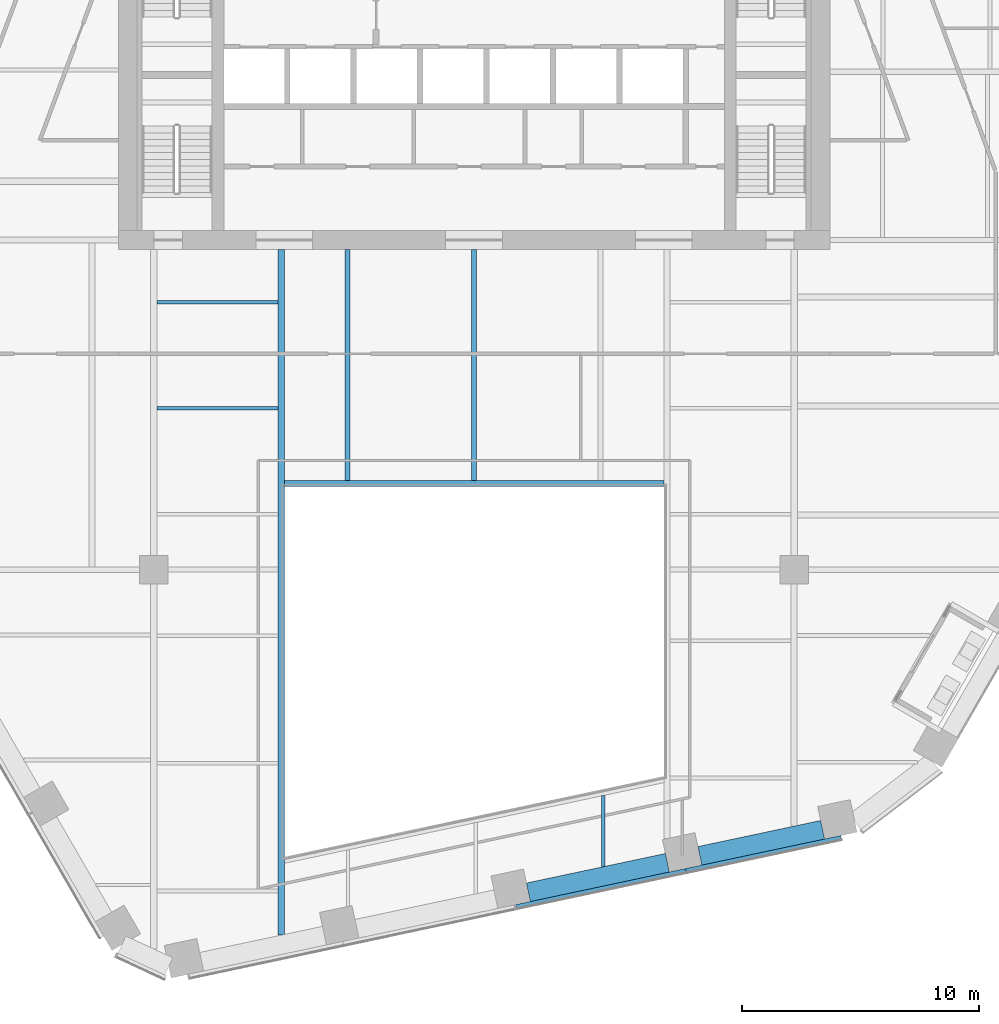
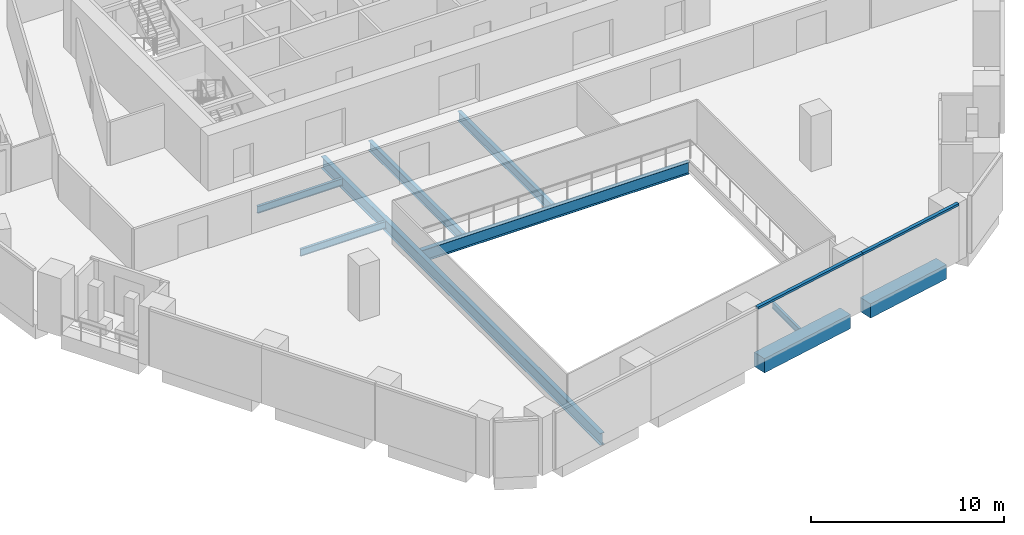
# One storey, part 4 of 24: 9 beams, 2 members, 1 element without a shape of its own.
"""IFC4 building model written with IfcOpenShell, lengths in metres."""

from ifc_helpers import new_model, si_unit, direction, frame, origin, origin_2d, place, context, subcontext, project, spatial, rectangle, i_section, extrude, material, layer, layer_set, material_profile, profile_set, type_object, element, aggregate, save


model = new_model("IFC4")

# Units and contexts
model_context = context("Model", 3, precision=1e-05, world=origin(), true_north=direction((0.0, 1.0)))
body_context = subcontext(model_context, "Body", "Model", "MODEL_VIEW")
ifc_project = project(units=[si_unit("LENGTHUNIT", "METRE"), si_unit("AREAUNIT", "SQUARE_METRE"), si_unit("VOLUMEUNIT", "CUBIC_METRE"), si_unit("PLANEANGLEUNIT", "RADIAN"), si_unit("MASSUNIT", "GRAM", prefix="KILO")], contexts=[model_context])

# Site, building, storey
site_placement = place(None, origin())
site = spatial("IfcSite", under=ifc_project, at=site_placement, CompositionType="ELEMENT")
building_placement = place(site_placement, origin())
building = spatial("IfcBuilding", under=site, at=building_placement, Name="Isthmus Gate Tower", CompositionType="ELEMENT")
storey_placement = place(building_placement, frame((0.0, 0.0, 159.0)))
storey = spatial("IfcBuildingStorey", under=building, at=storey_placement, Name="L39", CompositionType="ELEMENT", Elevation=159.0)

# Curtain wall, members
ifc_material_1 = material(Name="Aluminium, pale champagne anodised", Category="aluminium")
ifc_layer = layer(ifc_material_1, 0.199951171875)
ifc_layer_set = layer_set([ifc_layer], Name="CW-1 UNITISED CURTAIN WALL 200 DEEP")
curtain_wall_type = type_object("IfcCurtainWallType", Name="CW-1 UNITISED CURTAIN WALL 200 DEEP", PredefinedType="NOTDEFINED", material=ifc_layer_set)
curtain_wall_placement = place(storey_placement, origin())
curtain_wall = element("IfcCurtainWall", 1, at=curtain_wall_placement, inside=storey, type_object=curtain_wall_type, Name="CW-1 S L39", PredefinedType="NOTDEFINED")
ifc_material_2 = material(Name="Aluminium, pale champagne anodised", Category="aluminium")
ifc_material_profile_1 = material_profile(ifc_material_2, rectangle(XDim=0.199951171875, YDim=0.139892578125, at=origin_2d()), Name="200x140")
ifc_profile_set_1 = profile_set([ifc_material_profile_1], Name="Aluminium, pale champagne anodised")
member_type = type_object("IfcMemberType", Name="CW-1 TRANSOM 200 X 140", PredefinedType="USERDEFINED", material=ifc_profile_set_1)
member_1_placement = place(storey_placement, frame((1.76953125, -27.72607421875, 3.580078125), z_axis=(0.978146152746, 0.207918502948, 0.0), x_axis=(-0.207918502948, 0.978146152746, 0.0)))
member_1 = element("IfcMember", 2, at=member_1_placement, type_object=member_type, Name="CW-1 transom", ObjectType="TRANSOM", PredefinedType="USERDEFINED", context=body_context, shape_type="SweptSolid", body=[
    extrude(rectangle(XDim=0.199951171875, YDim=0.139892578125, at=origin_2d()), origin(), (0.0, 0.0, 1.0), 7.33056640625),
])
member_2_placement = place(storey_placement, frame((8.93994140625, -26.201904296875, 3.580078125), z_axis=(0.978147628551, 0.207911559946, 0.0), x_axis=(-0.207911559946, 0.978147628551, 0.0)))
member_2 = element("IfcMember", 3, at=member_2_placement, type_object=member_type, Name="CW-1 transom", ObjectType="TRANSOM", PredefinedType="USERDEFINED", context=body_context, shape_type="SweptSolid", body=[
    extrude(rectangle(XDim=0.199951171875, YDim=0.139892578125, at=origin_2d()), origin(), (0.0, 0.0, 1.0), 6.69091796875),
])
aggregate(curtain_wall, [member_1, member_2])

# Beams
ifc_material_3 = material(Name="Concrete f'c 60 MPa", Category="concrete")
ifc_material_profile_2 = material_profile(ifc_material_3, rectangle(XDim=0.800048828125, YDim=0.89990234375, at=origin_2d()), Name="RC 800X900")
ifc_profile_set_2 = profile_set([ifc_material_profile_2], Name="Concrete f'c 60 MPa")
beam_type_1 = type_object("IfcBeamType", Name="RC SPANDREL 800 X 900", PredefinedType="SPANDREL", material=ifc_profile_set_2)
beam_1_placement = place(storey_placement, frame((14.696044921875, -24.46728515625, -0.449951171875), z_axis=(-0.978145479826, -0.207921668653, 0.0), x_axis=(0.207921668653, -0.978145479826, 0.0)))
element("IfcBeam", 4, at=beam_1_placement, inside=storey, type_object=beam_type_1, Name="str-spandrel-L39-11", PredefinedType="SPANDREL", context=body_context, shape_type="SweptSolid", body=[
    extrude(rectangle(XDim=0.800048828125, YDim=0.89990234375, at=origin_2d()), origin(), (0.0, 0.0, 1.0), 5.291015625),
])
beam_2_placement = place(storey_placement, frame((8.1513671875, -25.8583984375, -0.449951171875), z_axis=(-0.978145798872, -0.20792016773, 0.0), x_axis=(0.20792016773, -0.978145798872, 0.0)))
element("IfcBeam", 5, at=beam_2_placement, inside=storey, type_object=beam_type_1, Name="str-spandrel-L39-12", PredefinedType="SPANDREL", context=body_context, shape_type="SweptSolid", body=[
    extrude(rectangle(XDim=0.800048828125, YDim=0.89990234375, at=origin_2d()), origin(), (0.0, 0.0, 1.0), 5.99072265625),
])
ifc_material_4 = material(Name="Structural steel ASTM A992 Gr 50", Category="steel")
ifc_material_profile_3 = material_profile(ifc_material_4, i_section(OverallWidth=0.1396484375, OverallDepth=0.4033203125, WebThickness=0.00634765625, FlangeThickness=0.010986328125, at=origin_2d()), Name="W16X31")
ifc_profile_set_3 = profile_set([ifc_material_profile_3], Name="Structural steel ASTM A992 Gr 50")
beam_type_2 = type_object("IfcBeamType", Name="STEEL FLOOR BEAM W16X31", PredefinedType="JOIST", material=ifc_profile_set_3)
beam_3_placement = place(storey_placement, frame((5.443115234375, -26.025146484375, -0.3515625), z_axis=(0.0, 1.0, 0.0), x_axis=(-1.0, 0.0, 0.0)))
element("IfcBeam", 6, at=beam_3_placement, inside=storey, type_object=beam_type_2, Name="str-beam-L39-09-02", PredefinedType="JOIST", context=body_context, shape_type="SweptSolid", body=[
    extrude(i_section(OverallWidth=0.1396484375, OverallDepth=0.4033203125, WebThickness=0.00634765625, FlangeThickness=0.010986328125, at=origin_2d()), origin(), (0.0, 0.0, 1.0), 2.998779296875),
])
ifc_material_5 = material(Name="Structural steel ASTM A992 Gr 50", Category="steel")
ifc_material_profile_4 = material_profile(ifc_material_5, i_section(OverallWidth=0.15234375, OverallDepth=0.45068359375, WebThickness=0.0078125, FlangeThickness=0.010986328125, at=origin_2d()), Name="W18X35")
ifc_profile_set_4 = profile_set([ifc_material_profile_4], Name="Structural steel ASTM A992 Gr 50")
beam_type_3 = type_object("IfcBeamType", Name="STEEL FLOOR BEAM W18X35", PredefinedType="JOIST", material=ifc_profile_set_4)
for number, where, z_axis, x_axis, name in (
    (7, (-13.3681640625, -6.697509765625, -0.37548828125), (1.0, 0.0, 0.0), (0.0, 1.0, 0.0), "str-beam-L39-06-01"),
    (8, (-13.3681640625, -2.232421875, -0.37548828125), (1.0, 0.0, 0.0), (0.0, 1.0, 0.0), "str-beam-L39-06-02"),
):
    element("IfcBeam", number, at=place(storey_placement, frame(where, z_axis=z_axis, x_axis=x_axis)), inside=storey, type_object=beam_type_3, Name=name, PredefinedType="JOIST", context=body_context, shape_type="SweptSolid", body=[
        extrude(i_section(OverallWidth=0.15234375, OverallDepth=0.45068359375, WebThickness=0.0078125, FlangeThickness=0.010986328125, at=origin_2d()), origin(), (0.0, 0.0, 1.0), 5.1015625),
    ])
ifc_material_6 = material(Name="Structural steel ASTM A992 Gr 50", Category="steel")
ifc_material_profile_5 = material_profile(ifc_material_6, i_section(OverallWidth=0.228515625, OverallDepth=0.603271484375, WebThickness=0.010986328125, FlangeThickness=0.014404296875, at=origin_2d()), Name="W24X68")
ifc_profile_set_5 = profile_set([ifc_material_profile_5], Name="Structural steel ASTM A992 Gr 50")
beam_type_4 = type_object("IfcBeamType", Name="STEEL FLOOR BEAM W24X68", PredefinedType="JOIST", material=ifc_profile_set_5)
for number, where, z_axis, x_axis, name in (
    (9, (-5.333251953125, -9.7333984375, -0.45166015625), (0.0, 1.0, 0.0), (-1.0, 0.0, 0.0), "str-beam-L39-08-00"),
    (10, (0.0, -9.7333984375, -0.45166015625), (0.0, 1.0, 0.0), (-1.0, 0.0, 0.0), "str-beam-L39-08-01"),
):
    element("IfcBeam", number, at=place(storey_placement, frame(where, z_axis=z_axis, x_axis=x_axis)), inside=storey, type_object=beam_type_4, Name=name, PredefinedType="JOIST", context=body_context, shape_type="SweptSolid", body=[
        extrude(i_section(OverallWidth=0.228515625, OverallDepth=0.603271484375, WebThickness=0.010986328125, FlangeThickness=0.014404296875, at=origin_2d()), origin(), (0.0, 0.0, 1.0), 9.7333984375),
    ])
ifc_material_7 = material(Name="Structural steel ASTM A992 Gr 50", Category="steel")
ifc_material_profile_6 = material_profile(ifc_material_7, i_section(OverallWidth=0.2666015625, OverallDepth=0.7587890625, WebThickness=0.014404296875, FlangeThickness=0.01904296875, at=origin_2d()), Name="W30X108")
ifc_profile_set_6 = profile_set([ifc_material_profile_6], Name="Structural steel ASTM A992 Gr 50")
beam_type_5 = type_object("IfcBeamType", Name="STEEL TRIMMER W30X108", PredefinedType="BEAM", material=ifc_profile_set_6)
beam_4_placement = place(storey_placement, frame((-8.13330078125, 0.0, -0.529296875), z_axis=(0.0, -1.0, 0.0), x_axis=(1.0, 0.0, 0.0)))
element("IfcBeam", 11, at=beam_4_placement, inside=storey, type_object=beam_type_5, Name="str-trimmer-L39-02", PredefinedType="BEAM", context=body_context, shape_type="SweptSolid", body=[
    extrude(i_section(OverallWidth=0.2666015625, OverallDepth=0.7587890625, WebThickness=0.014404296875, FlangeThickness=0.01904296875, at=origin_2d()), origin(), (0.0, 0.0, 1.0), 28.910888671875),
])
beam_5_placement = place(storey_placement, frame((8.0, -9.86669921875, -0.529296875), z_axis=(-1.0, 0.0, 0.0), x_axis=(0.0, -1.0, 0.0)))
element("IfcBeam", 12, at=beam_5_placement, inside=storey, type_object=beam_type_5, Name="str-trimmer-L39-04", PredefinedType="BEAM", context=body_context, shape_type="SweptSolid", body=[
    extrude(i_section(OverallWidth=0.2666015625, OverallDepth=0.7587890625, WebThickness=0.014404296875, FlangeThickness=0.01904296875, at=origin_2d()), origin(), (0.0, 0.0, 1.0), 16.0),
])

save(model, "model.ifc")
